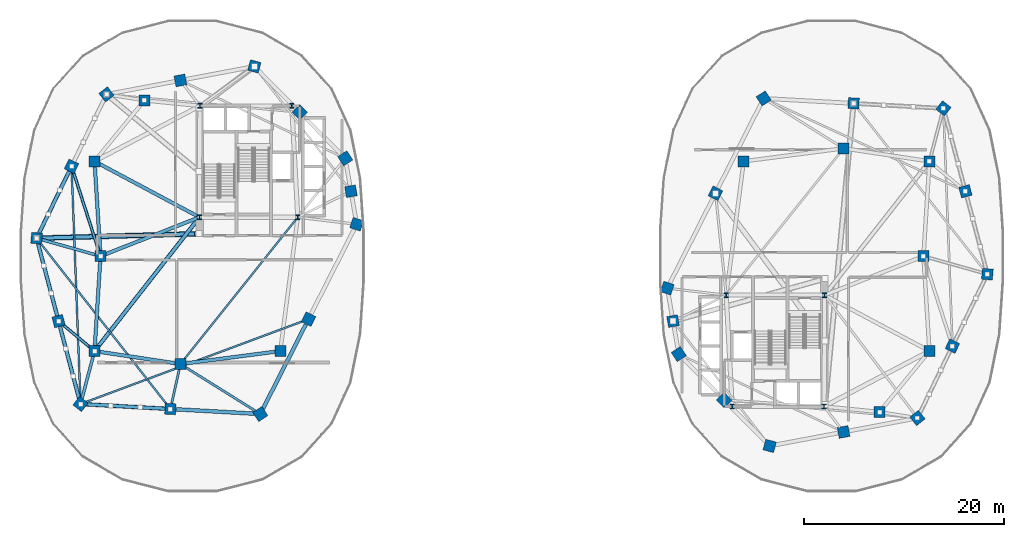
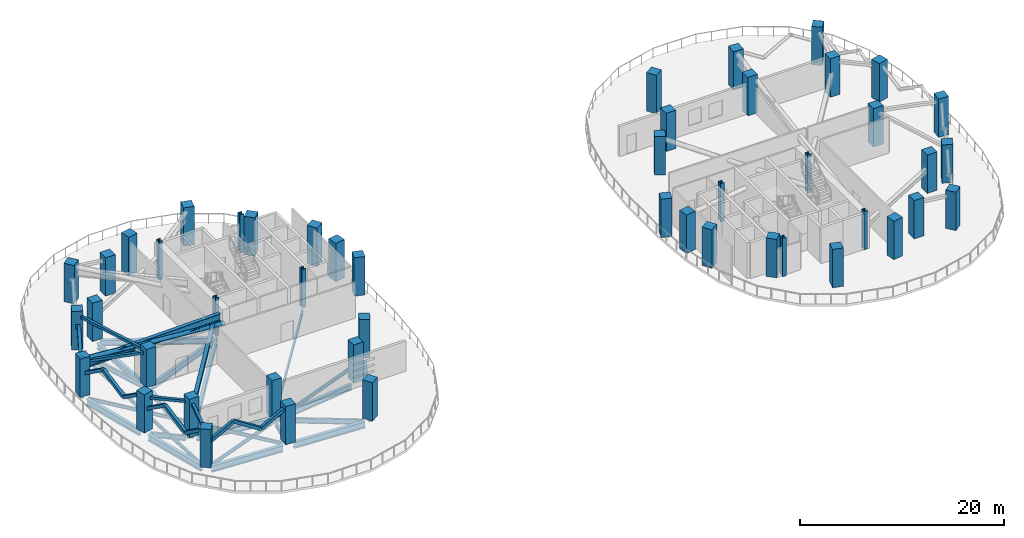
# One storey, part 1 of 13: 48 columns, 22 beams, 18 members.
"""IFC4 building model written with IfcOpenShell, lengths in metres."""

import ifcopenshell
import ifcopenshell.guid

model = None  # the IFC model being written
_history = None  # IfcOwnerHistory: only IFC2X3 demands one
_inside = {}  # id of a spatial element -> (the spatial element, [elements in it])
_under = {}  # id of a project, library or spatial element -> (it, [spatial elements below it])
_declared = {}  # id of a project -> (the project, [libraries it declares])
_typed = {}  # id of a type object -> (the type object, [elements of that type])
_made_of = {}  # id of a material, layer set ... -> (it, [elements and type objects made of it])


def new_model(schema):
    """Start an empty IFC model of exactly this schema.

    Asked for "IFC4X3", IfcOpenShell would pick the latest addendum, in which some entities
    have other attributes; the version numbers below select the first issue.
    IFC2X3 requires an IfcOwnerHistory on every rooted entity: one is made here for all.
    """
    global model, _history
    if schema == "IFC4X3":
        model = ifcopenshell.file(schema_version=(4, 3, 0, 0))
    else:
        model = ifcopenshell.file(schema=schema)
    _inside.clear()
    _under.clear()
    _declared.clear()
    _typed.clear()
    _made_of.clear()
    _history = None
    if model.schema == "IFC2X3":
        org = make("IfcOrganization", Name="unknown")
        user = make(
            "IfcPersonAndOrganization",
            ThePerson=make("IfcPerson", FamilyName="unknown"),
            TheOrganization=org,
        )
        app = make(
            "IfcApplication",
            ApplicationDeveloper=org,
            Version="unknown",
            ApplicationFullName="unknown",
            ApplicationIdentifier="unknown",
        )
        _history = make(
            "IfcOwnerHistory",
            OwningUser=user,
            OwningApplication=app,
            ChangeAction="ADDED",
            CreationDate=0,
        )
    return model


def make(cls, **values):
    """One entity of the class cls with the attributes given. An attribute that is None is left unset."""
    return model.create_entity(
        cls, **{name: value for name, value in values.items() if value is not None}
    )


def rooted(cls, **values):
    """An entity with a GlobalId (a new one), such as an element, a storey or a relation."""
    return make(cls, GlobalId=ifcopenshell.guid.new(), OwnerHistory=_history, **values)


def si_unit(unit_type, name, prefix=None):
    """IfcSIUnit, for example si_unit("LENGTHUNIT", "METRE", prefix="MILLI")."""
    return make("IfcSIUnit", UnitType=unit_type, Prefix=prefix, Name=name)


def assignment(units):
    """IfcUnitAssignment: the units of a project."""
    return None if units is None else make("IfcUnitAssignment", Units=units)


def point(xyz):
    """IfcCartesianPoint."""
    return None if xyz is None else make("IfcCartesianPoint", Coordinates=xyz)


def direction(xyz):
    """IfcDirection."""
    return None if xyz is None else make("IfcDirection", DirectionRatios=xyz)


def frame(location, z_axis=None, x_axis=None):
    """IfcAxis2Placement3D, a coordinate frame: its origin and axes. An axis left out is left unset."""
    return make(
        "IfcAxis2Placement3D",
        Location=point(location),
        Axis=direction(z_axis),
        RefDirection=direction(x_axis),
    )


def frame_2d(location, x_axis=None):
    """IfcAxis2Placement2D, a coordinate frame in the plane: its origin and x axis."""
    return make(
        "IfcAxis2Placement2D", Location=point(location), RefDirection=direction(x_axis)
    )


def origin():
    """The frame at (0, 0, 0) with its axes left unset."""
    return frame((0.0, 0.0, 0.0))


def origin_2d():
    """The frame at (0, 0) in the plane with its x axis left unset."""
    return frame_2d((0.0, 0.0))


def place(relative_to, where):
    """IfcLocalPlacement: puts the frame where relative to a parent placement (None: the world)."""
    return make(
        "IfcLocalPlacement", PlacementRelTo=relative_to, RelativePlacement=where
    )


def context(
    kind, dimensions, precision=None, world=None, true_north=None, identifier=None
):
    """IfcGeometricRepresentationContext, for example the 3D "Model" context."""
    return make(
        "IfcGeometricRepresentationContext",
        ContextIdentifier=identifier,
        ContextType=kind,
        CoordinateSpaceDimension=dimensions,
        Precision=precision,
        WorldCoordinateSystem=world,
        TrueNorth=true_north,
    )


def subcontext(parent, identifier, kind, view, scale=None):
    """IfcGeometricRepresentationSubContext, for example "Body" below "Model"."""
    return make(
        "IfcGeometricRepresentationSubContext",
        ContextIdentifier=identifier,
        ContextType=kind,
        ParentContext=parent,
        TargetScale=scale,
        TargetView=view,
    )


def project(units=None, contexts=None):
    """IfcProject with its units and contexts."""
    return rooted(
        "IfcProject",
        Name="project",
        RepresentationContexts=contexts,
        UnitsInContext=assignment(units),
    )


def spatial(cls, under=None, at=None, **own):
    """A site, building, storey or space (cls), placed at a placement, below another one or the project."""
    s = rooted(cls, ObjectPlacement=at, **own)
    if under is not None:
        _under.setdefault(under.id(), (under, []))[1].append(s)
    return s


def profile(cls, at=None, kind="AREA", **sizes):
    """A parametric profile (cls). Its sizes go by their IFC names, for example OverallWidth=200.0."""
    return make(cls, ProfileType=kind, Position=at, **sizes)


def rectangle(**sizes):
    """IfcRectangleProfileDef."""
    return profile("IfcRectangleProfileDef", **sizes)


def hollow_rectangle(**sizes):
    """IfcRectangleHollowProfileDef."""
    return profile("IfcRectangleHollowProfileDef", **sizes)


def hollow_circle(**sizes):
    """IfcCircleHollowProfileDef."""
    return profile("IfcCircleHollowProfileDef", **sizes)


def i_section(**sizes):
    """IfcIShapeProfileDef."""
    return profile("IfcIShapeProfileDef", **sizes)


def extrude(swept, where, along, depth):
    """IfcExtrudedAreaSolid: the profile swept, set in the frame where, extruded along a direction by depth."""
    return make(
        "IfcExtrudedAreaSolid",
        SweptArea=swept,
        Position=where,
        ExtrudedDirection=direction(along),
        Depth=depth,
    )


def shape(context_of_items, identifier, shape_type, items):
    """IfcShapeRepresentation: the items that make up one representation, for example the "Body"."""
    return make(
        "IfcShapeRepresentation",
        ContextOfItems=context_of_items,
        RepresentationIdentifier=identifier,
        RepresentationType=shape_type,
        Items=items,
    )


def material(Name=None, Category=None):
    """IfcMaterial."""
    return make("IfcMaterial", Name=Name, Category=Category)


def material_profile(
    of_material, cross_section, Name=None, Category=None, Priority=None
):
    """IfcMaterialProfile: a cross section and its material."""
    return make(
        "IfcMaterialProfile",
        Name=Name,
        Material=of_material,
        Profile=cross_section,
        Priority=Priority,
        Category=Category,
    )


def profile_set(profiles, Name=None, composite=None):
    """IfcMaterialProfileSet."""
    return make(
        "IfcMaterialProfileSet",
        Name=Name,
        MaterialProfiles=profiles,
        CompositeProfile=composite,
    )


def made_of(thing, what):
    """Note that an element or type object is made of a material, layer set ...; save() writes the relation."""
    if what is not None:
        _made_of.setdefault(what.id(), (what, []))[1].append(thing)
    return thing


def type_object(cls, material=None, **own):
    """A type object (cls), such as IfcWallType, which elements share."""
    return made_of(rooted(cls, **own), material)


def element(
    cls,
    number,
    at=None,
    inside=None,
    cuts=None,
    type_object=None,
    material=None,
    context=None,
    identifier="Body",
    shape_type=None,
    held_by="IfcProductDefinitionShape",
    body=None,
    shapes=None,
    **own,
):
    """One element of the class cls, such as IfcWall. Its Tag is "e" and its number.

    at: its placement. inside: the storey or other place that contains it. cuts: it is an
    opening in that element (IfcRelVoidsElement). A single representation is given by context,
    identifier, shape_type and body (its items); several are given by shapes. held_by: the class
    of the entity that holds the representations. save() writes the other relations.
    """
    e = rooted(cls, Tag="e%d" % number, ObjectPlacement=at, **own)
    if body is not None:
        shapes = [shape(context, identifier, shape_type, body)]
    if shapes is not None:
        e.Representation = make(held_by, Representations=shapes)
    if inside is not None:
        _inside.setdefault(inside.id(), (inside, []))[1].append(e)
    if cuts is not None:
        rooted(
            "IfcRelVoidsElement", RelatingBuildingElement=cuts, RelatedOpeningElement=e
        )
    if type_object is not None:
        _typed.setdefault(type_object.id(), (type_object, []))[1].append(e)
    return made_of(e, material)


def aggregate(whole, parts):
    """IfcRelAggregates: a whole, such as a stair, and the parts it consists of."""
    return rooted("IfcRelAggregates", RelatingObject=whole, RelatedObjects=parts)


def save(model, path):
    """Write the relations noted so far, then the file.

    IfcRelAggregates (storeys below a building ...), IfcRelContainedInSpatialStructure (elements
    in a storey), IfcRelDefinesByType, IfcRelAssociatesMaterial and IfcRelDeclares: one each for
    every whole, place, type object, material and project.
    """
    for whole, parts in _under.values():
        aggregate(whole, parts)
    for where, things in _inside.values():
        rooted(
            "IfcRelContainedInSpatialStructure",
            RelatedElements=things,
            RelatingStructure=where,
        )
    for kind, things in _typed.values():
        rooted("IfcRelDefinesByType", RelatedObjects=things, RelatingType=kind)
    for what, things in _made_of.values():
        rooted("IfcRelAssociatesMaterial", RelatedObjects=things, RelatingMaterial=what)
    for by, libraries in _declared.values():
        rooted("IfcRelDeclares", RelatingContext=by, RelatedDefinitions=libraries)
    model.write(path)


model = new_model("IFC4")

# Units and contexts
model_context = context("Model", 3, precision=1e-05, world=origin(), true_north=direction((0.0, 1.0)))
body_context = subcontext(model_context, "Body", "Model", "MODEL_VIEW")
ifc_project = project(units=[si_unit("LENGTHUNIT", "METRE"), si_unit("AREAUNIT", "SQUARE_METRE"), si_unit("VOLUMEUNIT", "CUBIC_METRE"), si_unit("PLANEANGLEUNIT", "RADIAN"), si_unit("MASSUNIT", "GRAM", prefix="KILO"), si_unit("THERMODYNAMICTEMPERATUREUNIT", "KELVIN"), si_unit("POWERUNIT", "WATT")], contexts=[model_context])

# Site, building, storey
site_placement = place(None, origin())
site = spatial("IfcSite", under=ifc_project, at=site_placement, CompositionType="ELEMENT")
building_placement = place(site_placement, origin())
building = spatial("IfcBuilding", under=site, at=building_placement, Name="Cundina Bronze Exchange", CompositionType="ELEMENT")
storey_placement = place(building_placement, frame((0.0, 0.0, 77.199951171875)))
storey = spatial("IfcBuildingStorey", under=building, at=storey_placement, Name="L19", CompositionType="ELEMENT", Elevation=77.199951171875)

# Columns
ifc_material_1 = material(Name="Steel ASTM A992 Grade 50", Category="steel")
ifc_material_profile_1 = material_profile(ifc_material_1, i_section(OverallWidth=0.431884765625, OverallDepth=0.498046875, WebThickness=0.0556640625, FlangeThickness=0.0888671875, FilletRadius=0.01806640625, at=origin_2d()), Name="W14X500", Category="steel")
ifc_profile_set_1 = profile_set([ifc_material_profile_1], Name="Steel ASTM A992 Grade 50")
column_type_1 = type_object("IfcColumnType", Name="COL-STL-W14A", PredefinedType="COLUMN", material=ifc_profile_set_1)
for number, where, z_axis, x_axis, name in (
    (1, (-31.300048828125, 3.89990234375, 0.0), (0.0, 0.0, 1.0), (1.0, 0.0, 0.0), "L19 Core Anchor Column W1"),
    (2, (-21.449951171875, 3.89990234375, 0.0), (0.0, 0.0, 1.0), (1.0, 0.0, 0.0), "L19 Core Anchor Column W2"),
    (3, (-22.050048828125, 15.050048828125, 0.0), (0.0, 0.0, 1.0), (1.0, 0.0, 0.0), "L19 Core Anchor Column W3"),
    (4, (-31.25, 15.050048828125, 0.0), (0.0, 0.0, 1.0), (1.0, 0.0, 0.0), "L19 Core Anchor Column W4"),
    (5, (31.300048828125, -3.89990234375, 0.0), (0.0, 0.0, 1.0), (1.0, 0.0, 0.0), "L19 Core Anchor Column E1"),
    (6, (21.449951171875, -3.89990234375, 0.0), (0.0, 0.0, 1.0), (1.0, 0.0, 0.0), "L19 Core Anchor Column E2"),
    (7, (22.050048828125, -15.050048828125, 0.0), (0.0, 0.0, 1.0), (1.0, 0.0, 0.0), "L19 Core Anchor Column E3"),
    (8, (31.25, -15.050048828125, 0.0), (0.0, 0.0, 1.0), (1.0, 0.0, 0.0), "L19 Core Anchor Column E4"),
):
    element("IfcColumn", number, at=place(storey_placement, frame(where, z_axis=z_axis, x_axis=x_axis)), inside=storey, type_object=column_type_1, Name=name, PredefinedType="COLUMN", context=body_context, shape_type="SweptSolid", body=[
        extrude(i_section(OverallWidth=0.431884765625, OverallDepth=0.498046875, WebThickness=0.0556640625, FlangeThickness=0.0888671875, FilletRadius=0.01806640625, at=origin_2d()), origin(), (0.0, 0.0, 1.0), 4.60009765625),
    ])
ifc_material_2 = material(Name="Concrete C60/75", Category="concrete")
ifc_material_profile_2 = material_profile(ifc_material_2, rectangle(XDim=1.10009765625, YDim=1.10009765625, at=origin_2d()), Name="RC1100X1100", Category="concrete")
ifc_profile_set_2 = profile_set([ifc_material_profile_2], Name="Concrete C60/75")
column_type_2 = type_object("IfcColumnType", Name="COL-Z2-1100", PredefinedType="COLUMN", material=ifc_profile_set_2)
for number, where, z_axis, x_axis, name in (
    (9, (-41.199951171875, 0.0, 0.0), (0.0, 0.0, 1.0), (1.0, 0.0, 0.0), "L19 W Inner Ring Column 1"),
    (10, (-41.800048828125, 9.5, 0.0), (0.0, 0.0, 1.0), (1.0, 0.0, 0.0), "L19 W Inner Ring Column 2"),
    (11, (-36.800048828125, 15.60009765625, 0.0), (0.0, 0.0, 1.0), (1.0, 0.0, 0.0), "L19 W Inner Ring Column 3"),
    (12, (-41.800048828125, -9.5, 0.0), (0.0, 0.0, 1.0), (1.0, 0.0, 0.0), "L19 W Inner Ring Column 4"),
    (13, (-33.199951171875, -10.800048828125, 0.0), (0.0, 0.0, 1.0), (1.0, 0.0, 0.0), "L19 W Inner Ring Column 5"),
    (14, (-23.199951171875, -9.5, 0.0), (0.0, 0.0, 1.0), (1.0, 0.0, 0.0), "L19 W Inner Ring Column 6"),
    (15, (41.199951171875, 0.0, 0.0), (0.0, 0.0, 1.0), (1.0, 0.0, 0.0), "L19 E Inner Ring Column 1"),
    (16, (41.800048828125, -9.5, 0.0), (0.0, 0.0, 1.0), (1.0, 0.0, 0.0), "L19 E Inner Ring Column 2"),
    (17, (36.800048828125, -15.60009765625, 0.0), (0.0, 0.0, 1.0), (1.0, 0.0, 0.0), "L19 E Inner Ring Column 3"),
    (18, (41.800048828125, 9.5, 0.0), (0.0, 0.0, 1.0), (1.0, 0.0, 0.0), "L19 E Inner Ring Column 4"),
    (19, (33.199951171875, 10.800048828125, 0.0), (0.0, 0.0, 1.0), (1.0, 0.0, 0.0), "L19 E Inner Ring Column 5"),
    (20, (23.199951171875, 9.5, 0.0), (0.0, 0.0, 1.0), (1.0, 0.0, 0.0), "L19 E Inner Ring Column 6"),
    (21, (-15.550048828125, 3.199951171875, 0.0), (0.0, 0.0, 1.0), (0.315152163383, 0.949041155016, 0.0), "L19 W Perimeter Column 00"),
    (22, (-16.125, 6.5, 0.0), (0.0, 0.0, 1.0), (-0.171585221787, 0.985169280715, 0.0), "L19 W Perimeter Column 01"),
    (23, (-16.699951171875, 9.800048828125, 0.0), (0.0, 0.0, 1.0), (-0.544199833495, 0.838955625301, 0.0), "L19 W Perimeter Column 02"),
    (24, (-21.25, 14.39990234375, 0.0), (0.0, 0.0, 1.0), (-0.703270634186, 0.710922228581, 0.0), "L19 W Perimeter Column 03"),
    (25, (-25.800048828125, 19.0, 0.0), (0.0, 0.0, 1.0), (-0.965970984022, 0.258650455301, 0.0), "L19 W Perimeter Column 04"),
    (26, (-33.199951171875, 17.60009765625, 0.0), (0.0, 0.0, 1.0), (-0.98258037664, -0.185838110843, 0.0), "L19 W Perimeter Column 05"),
    (27, (-40.60009765625, 16.199951171875, 0.0), (0.0, 0.0, 1.0), (-0.785100778485, -0.619368038909, 0.0), "L19 W Perimeter Column 06"),
    (28, (-44.10009765625, 9.0, 0.0), (0.0, 0.0, 1.0), (-0.437115766651, -0.899405251566, 0.0), "L19 W Perimeter Column 07"),
    (29, (-47.60009765625, 1.800048828125, 0.0), (0.0, 0.0, 1.0), (-0.083503921245, -0.996507448611, 0.0), "L19 W Perimeter Column 08"),
    (30, (-45.39990234375, -6.5, 0.0), (0.0, 0.0, 1.0), (0.256289373133, -0.966600102017, 0.0), "L19 W Perimeter Column 09"),
    (31, (-43.199951171875, -14.800048828125, 0.0), (0.0, 0.0, 1.0), (0.786288432137, -0.61785961309, 0.0), "L19 W Perimeter Column 10"),
    (32, (-34.199951171875, -15.300048828125, 0.0), (0.0, 0.0, 1.0), (0.998460188734, -0.055472980025, 0.0), "L19 W Perimeter Column 11"),
    (33, (-25.199951171875, -15.800048828125, 0.0), (0.0, 0.0, 1.0), (0.838099763533, 0.545516989988, 0.0), "L19 W Perimeter Column 12"),
    (34, (-20.375, -6.300048828125, 0.0), (0.0, 0.0, 1.0), (0.452901591366, 0.891560513111, 0.0), "L19 W Perimeter Column 13"),
    (35, (15.550048828125, -3.199951171875, 0.0), (0.0, 0.0, 1.0), (-0.315152163383, -0.949041155016, 0.0), "L19 E Perimeter Column 00"),
    (36, (16.125, -6.5, 0.0), (0.0, 0.0, 1.0), (0.171585221787, -0.985169280715, 0.0), "L19 E Perimeter Column 01"),
    (37, (16.699951171875, -9.800048828125, 0.0), (0.0, 0.0, 1.0), (0.544199833495, -0.838955625301, 0.0), "L19 E Perimeter Column 02"),
    (38, (21.25, -14.39990234375, 0.0), (0.0, 0.0, 1.0), (0.703270634186, -0.710922228581, 0.0), "L19 E Perimeter Column 03"),
    (39, (25.800048828125, -19.0, 0.0), (0.0, 0.0, 1.0), (0.965970984022, -0.258650455301, 0.0), "L19 E Perimeter Column 04"),
    (40, (33.199951171875, -17.60009765625, 0.0), (0.0, 0.0, 1.0), (0.98258037664, 0.185838110843, 0.0), "L19 E Perimeter Column 05"),
    (41, (40.60009765625, -16.199951171875, 0.0), (0.0, 0.0, 1.0), (0.785100778485, 0.619368038909, 0.0), "L19 E Perimeter Column 06"),
    (42, (44.10009765625, -9.0, 0.0), (0.0, 0.0, 1.0), (0.437115766651, 0.899405251566, 0.0), "L19 E Perimeter Column 07"),
    (43, (47.60009765625, -1.800048828125, 0.0), (0.0, 0.0, 1.0), (0.083503921245, 0.996507448611, 0.0), "L19 E Perimeter Column 08"),
    (44, (45.39990234375, 6.5, 0.0), (0.0, 0.0, 1.0), (-0.256289373133, 0.966600102017, 0.0), "L19 E Perimeter Column 09"),
    (45, (43.199951171875, 14.800048828125, 0.0), (0.0, 0.0, 1.0), (-0.786288432137, 0.61785961309, 0.0), "L19 E Perimeter Column 10"),
    (46, (34.199951171875, 15.300048828125, 0.0), (0.0, 0.0, 1.0), (-0.998460188734, 0.055472980025, 0.0), "L19 E Perimeter Column 11"),
    (47, (25.199951171875, 15.800048828125, 0.0), (0.0, 0.0, 1.0), (-0.838099763533, -0.545516989988, 0.0), "L19 E Perimeter Column 12"),
    (48, (20.375, 6.300048828125, 0.0), (0.0, 0.0, 1.0), (-0.452901591366, -0.891560513111, 0.0), "L19 E Perimeter Column 13"),
):
    element("IfcColumn", number, at=place(storey_placement, frame(where, z_axis=z_axis, x_axis=x_axis)), inside=storey, type_object=column_type_2, Name=name, PredefinedType="COLUMN", context=body_context, shape_type="SweptSolid", body=[
        extrude(rectangle(XDim=1.10009765625, YDim=1.10009765625, at=origin_2d()), origin(), (0.0, 0.0, 1.0), 4.60009765625),
    ])

# Beams
ifc_material_profile_3 = material_profile(ifc_material_1, i_section(OverallWidth=0.22998046875, OverallDepth=0.616943359375, WebThickness=0.01318359375, FlangeThickness=0.022216796875, FilletRadius=0.013916015625, at=origin_2d()), Name="W24X94", Category="steel")
ifc_profile_set_3 = profile_set([ifc_material_profile_3], Name="Steel ASTM A992 Grade 50")
beam_type_1 = type_object("IfcBeamType", Name="BM-FLR-W24B", PredefinedType="BEAM", material=ifc_profile_set_3)
beam_1_placement = place(storey_placement, frame((-41.364990234375, 0.51220703125, -0.58837890625), z_axis=(-0.306706454167, 0.951804155787, 0.0), x_axis=(-0.951804155787, -0.306706454167, 0.0)))
element("IfcBeam", 49, at=beam_1_placement, inside=storey, type_object=beam_type_1, Name="L19 Leg W Radial Floor Beam 07", PredefinedType="BEAM", context=body_context, shape_type="SweptSolid", body=[
    extrude(i_section(OverallWidth=0.22998046875, OverallDepth=0.616943359375, WebThickness=0.01318359375, FlangeThickness=0.022216796875, FilletRadius=0.013916015625, at=origin_2d()), origin(), (0.0, 0.0, 1.0), 8.329345703125),
])
beam_2_placement = place(storey_placement, frame((-42.21337890625, -9.155517578125, -0.58837890625), z_axis=(-0.768221279597, 0.640184399664, 0.0), x_axis=(-0.640184399664, -0.768221279597, 0.0)))
element("IfcBeam", 50, at=beam_2_placement, inside=storey, type_object=beam_type_1, Name="L19 Leg W Radial Floor Beam 09", PredefinedType="BEAM", context=body_context, shape_type="SweptSolid", body=[
    extrude(i_section(OverallWidth=0.22998046875, OverallDepth=0.616943359375, WebThickness=0.01318359375, FlangeThickness=0.022216796875, FilletRadius=0.013916015625, at=origin_2d()), origin(), (0.0, 0.0, 1.0), 3.56005859375),
])
beam_3_placement = place(storey_placement, frame((-33.316650390625, -11.3251953125, -0.58837890625), z_axis=(-0.216960137628, -0.976180464197, 0.0), x_axis=(0.976180464197, -0.216960137628, 0.0)))
element("IfcBeam", 51, at=beam_3_placement, inside=storey, type_object=beam_type_1, Name="L19 Leg W Radial Floor Beam 11", PredefinedType="BEAM", context=body_context, shape_type="SweptSolid", body=[
    extrude(i_section(OverallWidth=0.22998046875, OverallDepth=0.616943359375, WebThickness=0.01318359375, FlangeThickness=0.022216796875, FilletRadius=0.013916015625, at=origin_2d()), origin(), (0.0, 0.0, 1.0), 3.48388671875),
])
beam_4_placement = place(storey_placement, frame((-32.743896484375, -11.085205078125, -0.58837890625), z_axis=(0.848014812458, -0.529972525563, 0.0), x_axis=(0.529972525563, 0.848014812458, 0.0)))
element("IfcBeam", 52, at=beam_4_placement, inside=storey, type_object=beam_type_1, Name="L19 Leg W Radial Floor Beam 12", PredefinedType="BEAM", context=body_context, shape_type="SweptSolid", body=[
    extrude(i_section(OverallWidth=0.22998046875, OverallDepth=0.616943359375, WebThickness=0.01318359375, FlangeThickness=0.022216796875, FilletRadius=0.013916015625, at=origin_2d()), origin(), (0.0, 0.0, 1.0), 8.30810546875),
])
ifc_material_profile_4 = material_profile(ifc_material_1, i_section(OverallWidth=0.178955078125, OverallDepth=0.409912109375, WebThickness=0.0087890625, FlangeThickness=0.014404296875, FilletRadius=0.010986328125, at=origin_2d()), Name="W16X45", Category="steel")
ifc_profile_set_4 = profile_set([ifc_material_profile_4], Name="Steel ASTM A992 Grade 50")
beam_type_2 = type_object("IfcBeamType", Name="BM-JST-W16", PredefinedType="JOIST", material=ifc_profile_set_4)
beam_5_placement = place(storey_placement, frame((-21.577392578125, 3.740478515625, -0.48486328125), z_axis=(-0.62436887964, -0.781129632095, 0.0), x_axis=(0.781129632095, -0.62436887964, 0.0)))
element("IfcBeam", 53, at=beam_5_placement, inside=storey, type_object=beam_type_2, Name="L19 W Interior Core-to-Ring Joist 2", PredefinedType="JOIST", context=body_context, shape_type="SweptSolid", body=[
    extrude(i_section(OverallWidth=0.178955078125, OverallDepth=0.409912109375, WebThickness=0.0087890625, FlangeThickness=0.014404296875, FilletRadius=0.010986328125, at=origin_2d()), origin(), (0.0, 0.0, 1.0), 18.076904296875),
])
beam_6_placement = place(storey_placement, frame((-44.077880859375, 8.412353515625, -0.48486328125), z_axis=(0.037794949147, -0.999285515666, 0.0), x_axis=(0.999285515666, 0.037794949147, 0.0)))
element("IfcBeam", 54, at=beam_6_placement, inside=storey, type_object=beam_type_2, Name="L19 Leg W Lobe Floor Joist 07-10", PredefinedType="JOIST", context=body_context, shape_type="SweptSolid", body=[
    extrude(i_section(OverallWidth=0.178955078125, OverallDepth=0.409912109375, WebThickness=0.0087890625, FlangeThickness=0.014404296875, FilletRadius=0.010986328125, at=origin_2d()), origin(), (0.0, 0.0, 1.0), 22.640869140625),
])
beam_7_placement = place(storey_placement, frame((-47.2373046875, 1.337158203125, -0.48486328125), z_axis=(0.616803089524, -0.787117493614, 0.0), x_axis=(0.787117493614, 0.616803089524, 0.0)))
element("IfcBeam", 55, at=beam_7_placement, inside=storey, type_object=beam_type_2, Name="L19 Leg W Lobe Floor Joist 08-11", PredefinedType="JOIST", context=body_context, shape_type="SweptSolid", body=[
    extrude(i_section(OverallWidth=0.178955078125, OverallDepth=0.409912109375, WebThickness=0.0087890625, FlangeThickness=0.014404296875, FilletRadius=0.010986328125, at=origin_2d()), origin(), (0.0, 0.0, 1.0), 20.548828125),
])
beam_8_placement = place(storey_placement, frame((-42.64892578125, -14.5947265625, -0.48486328125), z_axis=(0.937127912449, 0.348986068074, 0.0), x_axis=(-0.348986068074, 0.937127912449, 0.0)))
element("IfcBeam", 56, at=beam_8_placement, inside=storey, type_object=beam_type_2, Name="L19 Leg W Lobe Floor Joist 10-13", PredefinedType="JOIST", context=body_context, shape_type="SweptSolid", body=[
    extrude(i_section(OverallWidth=0.178955078125, OverallDepth=0.409912109375, WebThickness=0.0087890625, FlangeThickness=0.014404296875, FilletRadius=0.010986328125, at=origin_2d()), origin(), (0.0, 0.0, 1.0), 23.18017578125),
])
ifc_material_profile_5 = material_profile(ifc_material_1, i_section(OverallWidth=0.39990234375, OverallDepth=0.85498046875, WebThickness=0.018310546875, FlangeThickness=0.029296875, FilletRadius=0.02001953125, at=origin_2d()), Name="W33X201", Category="steel")
ifc_profile_set_5 = profile_set([ifc_material_profile_5], Name="Steel ASTM A992 Grade 50")
beam_type_3 = type_object("IfcBeamType", Name="BM-OUT-W33", PredefinedType="USERDEFINED", material=ifc_profile_set_5)
beam_9_placement = place(storey_placement, frame((-31.7998046875, 2.237548828125, 3.422607421875), z_axis=(-0.999616870117, -0.027678745936, 0.0), x_axis=(0.027678745936, -0.999616870117, 0.0)))
element("IfcBeam", 57, at=beam_9_placement, inside=storey, type_object=beam_type_3, Name="L19 W Outrigger Upper Tie Chord 3", ObjectType="GIRDER", PredefinedType="USERDEFINED", context=body_context, shape_type="SweptSolid", body=[
    extrude(i_section(OverallWidth=0.39990234375, OverallDepth=0.85498046875, WebThickness=0.018310546875, FlangeThickness=0.029296875, FilletRadius=0.02001953125, at=origin_2d()), origin(), (0.0, 0.0, 1.0), 15.268310546875),
])
ifc_material_profile_6 = material_profile(ifc_material_1, i_section(OverallWidth=0.35498046875, OverallDepth=0.695068359375, WebThickness=0.015380859375, FlangeThickness=0.02490234375, FilletRadius=0.01806640625, at=origin_2d()), Name="W27X146", Category="steel")
ifc_profile_set_6 = profile_set([ifc_material_profile_6], Name="Steel ASTM A992 Grade 50")
beam_type_4 = type_object("IfcBeamType", Name="BM-RING-W27", PredefinedType="USERDEFINED", material=ifc_profile_set_6)
for number, where, z_axis, x_axis, name in (
    (58, (-41.76611328125, 8.963134765625, -0.62744140625), (0.06303715519, -0.998011180832, 0.0), (0.998011180832, 0.06303715519, 0.0), "L19 W Inner Structural Ring Girder 03"),
    (59, (-41.23388671875, -0.536865234375, -0.62744140625), (-0.06303715519, -0.998011180832, 0.0), (0.998011180832, -0.06303715519, 0.0), "L19 W Inner Structural Ring Girder 04"),
):
    element("IfcBeam", number, at=place(storey_placement, frame(where, z_axis=z_axis, x_axis=x_axis)), inside=storey, type_object=beam_type_4, Name=name, ObjectType="GIRDER", PredefinedType="USERDEFINED", context=body_context, shape_type="SweptSolid", body=[
        extrude(i_section(OverallWidth=0.35498046875, OverallDepth=0.695068359375, WebThickness=0.015380859375, FlangeThickness=0.02490234375, FilletRadius=0.01806640625, at=origin_2d()), origin(), (0.0, 0.0, 1.0), 8.443115234375),
    ])
beam_10_placement = place(storey_placement, frame((-41.26806640625, -9.580322265625, -0.62744140625), z_axis=(0.988767489563, -0.149461873341, 0.0), x_axis=(0.149461873341, 0.988767489563, 0.0)))
element("IfcBeam", 60, at=beam_10_placement, inside=storey, type_object=beam_type_4, Name="L19 W Inner Structural Ring Girder 05", ObjectType="GIRDER", PredefinedType="USERDEFINED", context=body_context, shape_type="SweptSolid", body=[
    extrude(i_section(OverallWidth=0.35498046875, OverallDepth=0.695068359375, WebThickness=0.015380859375, FlangeThickness=0.02490234375, FilletRadius=0.01806640625, at=origin_2d()), origin(), (0.0, 0.0, 1.0), 7.621826171875),
])
beam_11_placement = place(storey_placement, frame((-32.66650390625, -10.730712890625, -0.62744140625), z_axis=(0.991654577907, 0.128923225666, 0.0), x_axis=(-0.128923225666, 0.991654577907, 0.0)))
element("IfcBeam", 61, at=beam_11_placement, inside=storey, type_object=beam_type_4, Name="L19 W Inner Structural Ring Girder 06", ObjectType="GIRDER", PredefinedType="USERDEFINED", context=body_context, shape_type="SweptSolid", body=[
    extrude(i_section(OverallWidth=0.35498046875, OverallDepth=0.695068359375, WebThickness=0.015380859375, FlangeThickness=0.02490234375, FilletRadius=0.01806640625, at=origin_2d()), origin(), (0.0, 0.0, 1.0), 9.00830078125),
])
beam_12_placement = place(storey_placement, frame((-31.48974609375, 3.8251953125, -0.62744140625), z_axis=(-0.930413235418, -0.366512225388, 0.0), x_axis=(0.366512225388, -0.930413235418, 0.0)))
element("IfcBeam", 62, at=beam_12_placement, inside=storey, type_object=beam_type_4, Name="L19 W Core-to-Waist Tie Beam 1", ObjectType="GIRDER", PredefinedType="USERDEFINED", context=body_context, shape_type="SweptSolid", body=[
    extrude(i_section(OverallWidth=0.35498046875, OverallDepth=0.695068359375, WebThickness=0.015380859375, FlangeThickness=0.02490234375, FilletRadius=0.01806640625, at=origin_2d()), origin(), (0.0, 0.0, 1.0), 9.8984375),
])
beam_13_placement = place(storey_placement, frame((-31.47998046875, 3.99609375, -0.62744140625), z_axis=(-0.882354758239, 0.470584828286, 0.0), x_axis=(-0.470584828286, -0.882354758239, 0.0)))
element("IfcBeam", 63, at=beam_13_placement, inside=storey, type_object=beam_type_4, Name="L19 W Core-to-Waist Tie Beam 2", ObjectType="GIRDER", PredefinedType="USERDEFINED", context=body_context, shape_type="SweptSolid", body=[
    extrude(i_section(OverallWidth=0.35498046875, OverallDepth=0.695068359375, WebThickness=0.015380859375, FlangeThickness=0.02490234375, FilletRadius=0.01806640625, at=origin_2d()), origin(), (0.0, 0.0, 1.0), 11.157958984375),
])
beam_14_placement = place(storey_placement, frame((-31.42578125, 3.739501953125, -0.62744140625), z_axis=(-0.616789275748, -0.787128318206, 0.0), x_axis=(0.787128318206, -0.616789275748, 0.0)))
element("IfcBeam", 64, at=beam_14_placement, inside=storey, type_object=beam_type_4, Name="L19 W Core-to-Waist Tie Beam 3", ObjectType="GIRDER", PredefinedType="USERDEFINED", context=body_context, shape_type="SweptSolid", body=[
    extrude(i_section(OverallWidth=0.35498046875, OverallDepth=0.695068359375, WebThickness=0.015380859375, FlangeThickness=0.02490234375, FilletRadius=0.01806640625, at=origin_2d()), origin(), (0.0, 0.0, 1.0), 16.281982421875),
])
ifc_material_profile_7 = material_profile(ifc_material_1, i_section(OverallWidth=0.381103515625, OverallDepth=0.77294921875, WebThickness=0.0166015625, FlangeThickness=0.027099609375, FilletRadius=0.01904296875, at=origin_2d()), Name="W30X173", Category="steel")
ifc_profile_set_7 = profile_set([ifc_material_profile_7], Name="Steel ASTM A992 Grade 50")
beam_type_5 = type_object("IfcBeamType", Name="BM-RING-W30", PredefinedType="USERDEFINED", material=ifc_profile_set_7)
beam_15_placement = place(storey_placement, frame((-44.357177734375, 8.47119140625, -0.66650390625), z_axis=(-0.437190698904, -0.899368830231, 0.0), x_axis=(0.899368830231, -0.437190698904, 0.0)))
element("IfcBeam", 65, at=beam_15_placement, inside=storey, type_object=beam_type_5, Name="L19 W Perimeter Ring Girder 07", ObjectType="GIRDER", PredefinedType="USERDEFINED", context=body_context, shape_type="SweptSolid", body=[
    extrude(i_section(OverallWidth=0.381103515625, OverallDepth=0.77294921875, WebThickness=0.0166015625, FlangeThickness=0.027099609375, FilletRadius=0.01904296875, at=origin_2d()), origin(), (0.0, 0.0, 1.0), 6.82958984375),
])
for number, where, z_axis, x_axis, name in (
    (66, (-47.44921875, 1.231689453125, -0.66650390625), (0.256177785604, -0.966629682021, 0.0), (0.966629682021, 0.256177785604, 0.0), "L19 W Perimeter Ring Girder 08"),
    (67, (-45.249267578125, -7.068359375, -0.66650390625), (0.256208567826, -0.966621523541, 0.0), (0.966621523541, 0.256208567826, 0.0), "L19 W Perimeter Ring Girder 09"),
):
    element("IfcBeam", number, at=place(storey_placement, frame(where, z_axis=z_axis, x_axis=x_axis)), inside=storey, type_object=beam_type_5, Name=name, ObjectType="GIRDER", PredefinedType="USERDEFINED", context=body_context, shape_type="SweptSolid", body=[
        extrude(i_section(OverallWidth=0.381103515625, OverallDepth=0.77294921875, WebThickness=0.0166015625, FlangeThickness=0.027099609375, FilletRadius=0.01904296875, at=origin_2d()), origin(), (0.0, 0.0, 1.0), 7.41064453125),
    ])
for number, where, z_axis, x_axis, name in (
    (68, (-42.61279296875, -14.83251953125, -0.66650390625), (0.998459969805, -0.055476920391, 0.0), (0.055476920391, 0.998459969805, 0.0), "L19 W Perimeter Ring Girder 10"),
    (69, (-33.61279296875, -15.33251953125, -0.66650390625), (0.998459969805, -0.055476920391, 0.0), (0.055476920391, 0.998459969805, 0.0), "L19 W Perimeter Ring Girder 11"),
):
    element("IfcBeam", number, at=place(storey_placement, frame(where, z_axis=z_axis, x_axis=x_axis)), inside=storey, type_object=beam_type_5, Name=name, ObjectType="GIRDER", PredefinedType="USERDEFINED", context=body_context, shape_type="SweptSolid", body=[
        extrude(i_section(OverallWidth=0.381103515625, OverallDepth=0.77294921875, WebThickness=0.0166015625, FlangeThickness=0.027099609375, FilletRadius=0.01904296875, at=origin_2d()), origin(), (0.0, 0.0, 1.0), 7.837646484375),
    ])
beam_16_placement = place(storey_placement, frame((-24.93359375, -15.275634765625, -0.66650390625), z_axis=(0.452819633606, 0.891602141889, 0.0), x_axis=(-0.891602141889, 0.452819633606, 0.0)))
element("IfcBeam", 70, at=beam_16_placement, inside=storey, type_object=beam_type_5, Name="L19 W Perimeter Ring Girder 12", ObjectType="GIRDER", PredefinedType="USERDEFINED", context=body_context, shape_type="SweptSolid", body=[
    extrude(i_section(OverallWidth=0.381103515625, OverallDepth=0.77294921875, WebThickness=0.0166015625, FlangeThickness=0.027099609375, FilletRadius=0.01904296875, at=origin_2d()), origin(), (0.0, 0.0, 1.0), 9.47900390625),
])

# Members
ifc_material_3 = material(Name="Steel ASTM A500 Grade C", Category="steel")
ifc_material_profile_8 = material_profile(ifc_material_3, hollow_rectangle(XDim=0.300048828125, YDim=0.300048828125, WallThickness=0.01611328125, at=origin_2d()), Name="HSS300X300X16", Category="steel")
ifc_profile_set_8 = profile_set([ifc_material_profile_8], Name="Steel ASTM A500 Grade C")
member_type_1 = type_object("IfcMemberType", Name="MBR-BLT-HSS300", PredefinedType="STRUT", material=ifc_profile_set_8)
member_1_placement = place(storey_placement, frame((-41.199951171875, 0.0, 3.85009765625), z_axis=(-0.962650641065, 0.270746640342, 0.0), x_axis=(-0.270746640342, -0.962650641065, 0.0)))
element("IfcMember", 71, at=member_1_placement, inside=storey, type_object=member_type_1, Name="L19 W Outrigger Collector Strut 1", PredefinedType="STRUT", context=body_context, shape_type="SweptSolid", body=[
    extrude(hollow_rectangle(XDim=0.300048828125, YDim=0.300048828125, WallThickness=0.01611328125, at=origin_2d()), origin(), (0.0, 0.0, 1.0), 6.6484375),
])
member_2_placement = place(storey_placement, frame((-41.199951171875, 0.0, 3.85009765625), z_axis=(-0.306707801861, 0.951803721509, 0.0), x_axis=(-0.951803721509, -0.306707801861, 0.0)))
element("IfcMember", 72, at=member_2_placement, inside=storey, type_object=member_type_1, Name="L19 W Outrigger Collector Strut 2", PredefinedType="STRUT", context=body_context, shape_type="SweptSolid", body=[
    extrude(hollow_rectangle(XDim=0.300048828125, YDim=0.300048828125, WallThickness=0.01611328125, at=origin_2d()), origin(), (0.0, 0.0, 1.0), 9.455810546875),
])
member_3_placement = place(storey_placement, frame((-41.800048828125, -9.5, 3.85009765625), z_axis=(-0.768208468069, 0.640199773186, 0.0), x_axis=(-0.640199773186, -0.768208468069, 0.0)))
element("IfcMember", 73, at=member_3_placement, inside=storey, type_object=member_type_1, Name="L19 W Outrigger Collector Strut 3", PredefinedType="STRUT", context=body_context, shape_type="SweptSolid", body=[
    extrude(hollow_rectangle(XDim=0.300048828125, YDim=0.300048828125, WallThickness=0.01611328125, at=origin_2d()), origin(), (0.0, 0.0, 1.0), 4.68603515625),
])
member_4_placement = place(storey_placement, frame((-41.800048828125, -9.5, 3.85009765625), z_axis=(-0.255372270734, -0.966842801773, 0.0), x_axis=(0.966842801773, -0.255372270734, 0.0)))
element("IfcMember", 74, at=member_4_placement, inside=storey, type_object=member_type_1, Name="L19 W Outrigger Collector Strut 5", PredefinedType="STRUT", context=body_context, shape_type="SweptSolid", body=[
    extrude(hollow_rectangle(XDim=0.300048828125, YDim=0.300048828125, WallThickness=0.01611328125, at=origin_2d()), origin(), (0.0, 0.0, 1.0), 5.481689453125),
])
ifc_material_profile_9 = material_profile(ifc_material_3, hollow_rectangle(XDim=0.35009765625, YDim=0.35009765625, WallThickness=0.01904296875, at=origin_2d()), Name="HSS350X350X19", Category="steel")
ifc_profile_set_9 = profile_set([ifc_material_profile_9], Name="Steel ASTM A500 Grade C")
member_type_2 = type_object("IfcMemberType", Name="MBR-BLT-HSS350", PredefinedType="BRACE", material=ifc_profile_set_9)
member_5_placement = place(storey_placement, frame((-47.60009765625, 1.800048828125, 2.41015625), z_axis=(0.215191638379, -0.811839826148, 0.542778643142), x_axis=(0.966618915213, 0.256218408303, 0.0)))
element("IfcMember", 75, at=member_5_placement, inside=storey, type_object=member_type_2, Name="L19 W Perimeter Belt M-Truss Diagonal 1A", PredefinedType="BRACE", context=body_context, shape_type="SweptSolid", body=[
    extrude(hollow_rectangle(XDim=0.35009765625, YDim=0.35009765625, WallThickness=0.01904296875, at=origin_2d()), origin(), (0.0, 0.0, 1.0), 3.408203125),
])
for number, where, z_axis, x_axis, name in (
    (76, (-46.86669921875, -0.966796875, 4.260009765625), (0.215204153641, -0.811815402482, -0.542810210431), (0.966613315255, 0.256239533977, 0.0), "L19 W Perimeter Belt M-Truss Diagonal 1B"),
    (77, (-46.13330078125, -3.7333984375, 2.41015625), (0.215204153641, -0.811815402482, 0.542810210431), (0.966613315255, 0.256239533977, 0.0), "L19 W Perimeter Belt M-Truss Diagonal 1C"),
):
    element("IfcMember", number, at=place(storey_placement, frame(where, z_axis=z_axis, x_axis=x_axis)), inside=storey, type_object=member_type_2, Name=name, PredefinedType="BRACE", context=body_context, shape_type="SweptSolid", body=[
        extrude(hollow_rectangle(XDim=0.35009765625, YDim=0.35009765625, WallThickness=0.01904296875, at=origin_2d()), origin(), (0.0, 0.0, 1.0), 3.407958984375),
    ])
member_6_placement = place(storey_placement, frame((-44.10009765625, 9.0, 2.41015625), z_axis=(-0.359269332014, -0.739141384199, 0.569732885867), x_axis=(0.899384841713, -0.437157759278, 0.0)))
element("IfcMember", 78, at=member_6_placement, inside=storey, type_object=member_type_2, Name="L19 W Perimeter Belt M-Truss Diagonal 2A", PredefinedType="BRACE", context=body_context, shape_type="SweptSolid", body=[
    extrude(hollow_rectangle(XDim=0.35009765625, YDim=0.35009765625, WallThickness=0.01904296875, at=origin_2d()), origin(), (0.0, 0.0, 1.0), 3.246826171875),
])
for number, where, z_axis, x_axis, name in (
    (79, (-45.2666015625, 6.60009765625, 4.260009765625), (-0.359314847033, -0.739155526507, -0.569685833013), (0.899366355353, -0.437195790075, 0.0), "L19 W Perimeter Belt M-Truss Diagonal 2B"),
    (80, (-46.433349609375, 4.199951171875, 2.41015625), (-0.359334816351, -0.739121415512, 0.56971749393), (0.899348867178, -0.437231763606, 0.0), "L19 W Perimeter Belt M-Truss Diagonal 2C"),
):
    element("IfcMember", number, at=place(storey_placement, frame(where, z_axis=z_axis, x_axis=x_axis)), inside=storey, type_object=member_type_2, Name=name, PredefinedType="BRACE", context=body_context, shape_type="SweptSolid", body=[
        extrude(hollow_rectangle(XDim=0.35009765625, YDim=0.35009765625, WallThickness=0.01904296875, at=origin_2d()), origin(), (0.0, 0.0, 1.0), 3.2470703125),
    ])
for number, where, z_axis, x_axis, name in (
    (81, (-45.39990234375, -6.5, 2.41015625), (0.215135830676, -0.81182791649, 0.542818577766), (0.966634439785, 0.256159832569, 0.0), "L19 W Perimeter Belt M-Truss Diagonal 3A"),
    (82, (-44.666748046875, -9.2666015625, 4.260009765625), (0.215204153641, -0.811815402482, -0.542810210431), (0.966613315255, 0.256239533977, 0.0), "L19 W Perimeter Belt M-Truss Diagonal 3B"),
):
    element("IfcMember", number, at=place(storey_placement, frame(where, z_axis=z_axis, x_axis=x_axis)), inside=storey, type_object=member_type_2, Name=name, PredefinedType="BRACE", context=body_context, shape_type="SweptSolid", body=[
        extrude(hollow_rectangle(XDim=0.35009765625, YDim=0.35009765625, WallThickness=0.01904296875, at=origin_2d()), origin(), (0.0, 0.0, 1.0), 3.407958984375),
    ])
member_7_placement = place(storey_placement, frame((-43.933349609375, -12.033203125, 2.41015625), z_axis=(0.215191638379, -0.811839826148, 0.542778643142), x_axis=(0.966618915213, 0.256218408303, 0.0)))
element("IfcMember", 83, at=member_7_placement, inside=storey, type_object=member_type_2, Name="L19 W Perimeter Belt M-Truss Diagonal 3C", PredefinedType="BRACE", context=body_context, shape_type="SweptSolid", body=[
    extrude(hollow_rectangle(XDim=0.35009765625, YDim=0.35009765625, WallThickness=0.01904296875, at=origin_2d()), origin(), (0.0, 0.0, 1.0), 3.408203125),
])
for number, where, z_axis, x_axis, name in (
    (84, (-43.199951171875, -14.800048828125, 2.41015625), (0.850238396602, -0.04725853067, 0.524272162358), (0.055497021194, 0.998458852752, 0.0), "L19 W Perimeter Belt M-Truss Diagonal 5A"),
    (85, (-40.199951171875, -14.966796875, 4.260009765625), (0.850241174808, -0.047189492287, -0.524273875449), (0.055416016115, 0.998463351935, 0.0), "L19 W Perimeter Belt M-Truss Diagonal 5B"),
    (86, (-37.199951171875, -15.13330078125, 2.41015625), (0.850238396602, -0.04725853067, 0.524272162358), (0.055497021194, 0.998458852752, 0.0), "L19 W Perimeter Belt M-Truss Diagonal 5C"),
):
    element("IfcMember", number, at=place(storey_placement, frame(where, z_axis=z_axis, x_axis=x_axis)), inside=storey, type_object=member_type_2, Name=name, PredefinedType="BRACE", context=body_context, shape_type="SweptSolid", body=[
        extrude(hollow_rectangle(XDim=0.35009765625, YDim=0.35009765625, WallThickness=0.01904296875, at=origin_2d()), origin(), (0.0, 0.0, 1.0), 3.5283203125),
    ])
ifc_material_profile_10 = material_profile(ifc_material_1, i_section(OverallWidth=0.406005859375, OverallDepth=0.416015625, WebThickness=0.02978515625, FlangeThickness=0.048095703125, FilletRadius=0.01806640625, at=origin_2d()), Name="W14X257", Category="steel")
ifc_profile_set_10 = profile_set([ifc_material_profile_10], Name="Steel ASTM A992 Grade 50")
member_type_3 = type_object("IfcMemberType", Name="MBR-CHORD-W14", PredefinedType="CHORD", material=ifc_profile_set_10)
member_8_placement = place(storey_placement, frame((-31.300048828125, 3.89990234375, 2.650146484375), z_axis=(-0.616786098303, -0.787130808024, 0.0), x_axis=(0.787130808024, -0.616786098303, 0.0)))
element("IfcMember", 87, at=member_8_placement, inside=storey, type_object=member_type_3, Name="L19 West Outrigger Mid-Height Tie Chord 1", PredefinedType="CHORD", context=body_context, shape_type="SweptSolid", body=[
    extrude(i_section(OverallWidth=0.406005859375, OverallDepth=0.416015625, WebThickness=0.02978515625, FlangeThickness=0.048095703125, FilletRadius=0.01806640625, at=origin_2d()), origin(), (0.0, 0.0, 1.0), 17.023681640625),
])
ifc_material_4 = material(Name="Steel ASTM A501 Grade B", Category="steel")
ifc_material_profile_11 = material_profile(ifc_material_4, hollow_circle(Radius=0.25390625, WallThickness=0.02490234375, at=origin_2d()), Name="CHS508X25", Category="steel")
ifc_profile_set_11 = profile_set([ifc_material_profile_11], Name="Steel ASTM A501 Grade B")
member_type_4 = type_object("IfcMemberType", Name="MBR-OUT-CHS508", PredefinedType="BRACE", material=ifc_profile_set_11)
member_9_placement = place(storey_placement, frame((-31.35009765625, 2.25, 2.449951171875), z_axis=(-0.99450631114, -0.02753718647, 0.100989605724), x_axis=(0.027678694325, -0.999616871547, 0.0)))
element("IfcMember", 88, at=member_9_placement, inside=storey, type_object=member_type_4, Name="L19 W Outrigger Truss Diagonal 3", PredefinedType="BRACE", context=body_context, shape_type="SweptSolid", body=[
    extrude(hollow_circle(Radius=0.25390625, WallThickness=0.02490234375, at=origin_2d()), origin(), (0.0, 0.0, 1.0), 16.33984375),
])

save(model, "model.ifc")
